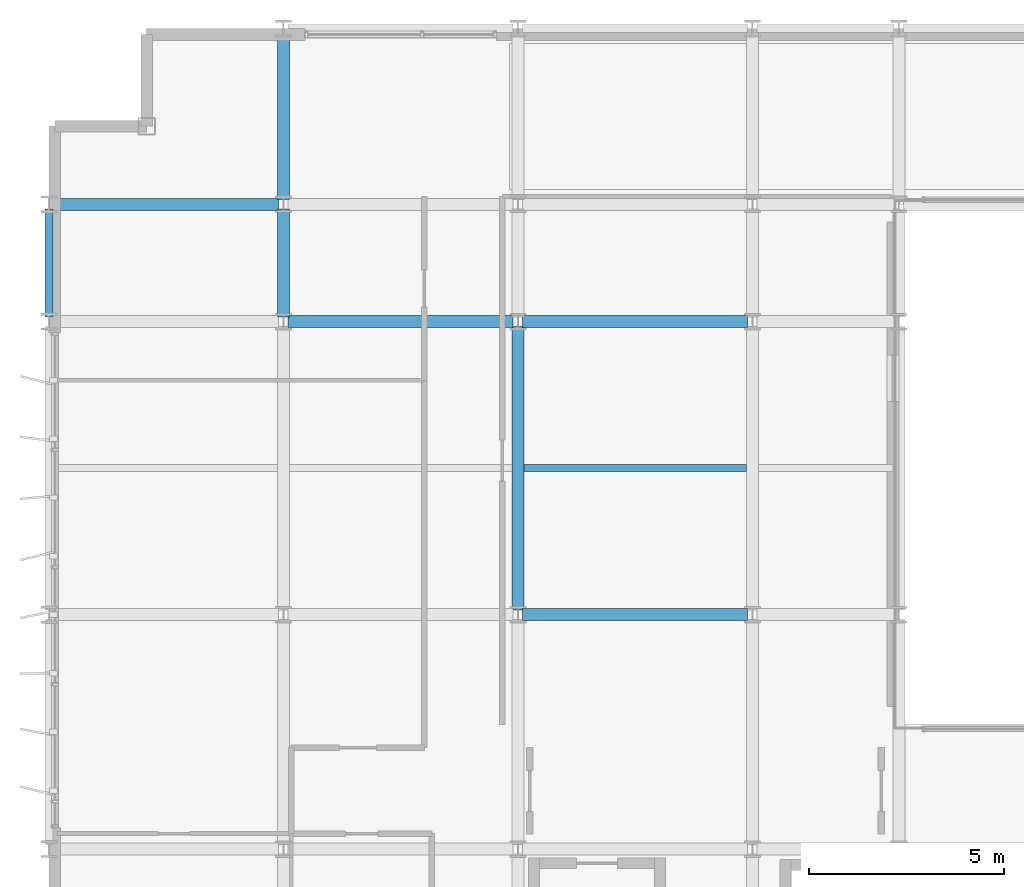
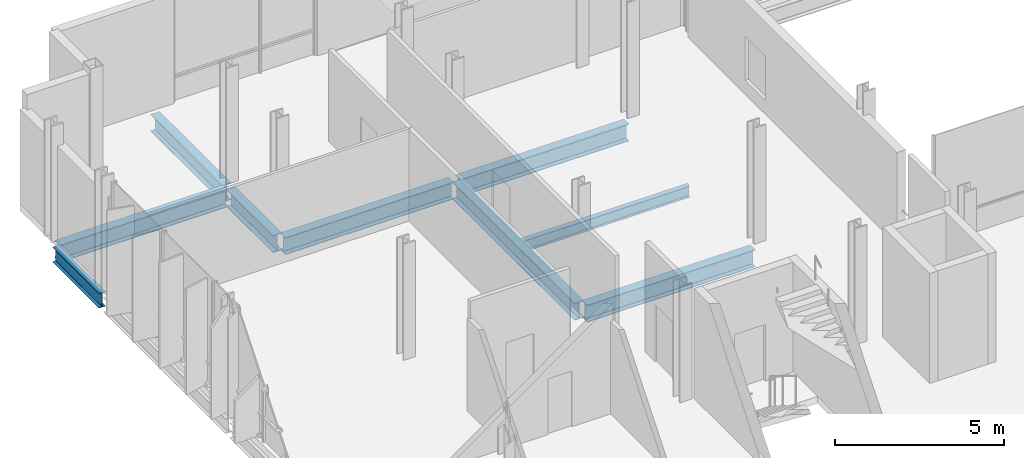
# One storey, part 6 of 32: 9 beams.
"""IFC4 building model written with IfcOpenShell, lengths in metres."""

from ifc_helpers import new_model, si_unit, direction, frame, origin, origin_2d, place, context, subcontext, project, spatial, i_section, extrude, material, material_profile, profile_set, type_object, element, save


model = new_model("IFC4")

# Units and contexts
model_context = context("Model", 3, precision=1e-05, world=origin(), true_north=direction((0.0, 1.0)))
body_context = subcontext(model_context, "Body", "Model", "MODEL_VIEW")
ifc_project = project(units=[si_unit("LENGTHUNIT", "METRE"), si_unit("AREAUNIT", "SQUARE_METRE"), si_unit("VOLUMEUNIT", "CUBIC_METRE"), si_unit("PLANEANGLEUNIT", "RADIAN"), si_unit("MASSUNIT", "GRAM", prefix="KILO")], contexts=[model_context])

# Site, building, storey
site_placement = place(None, origin())
site = spatial("IfcSite", under=ifc_project, at=site_placement, CompositionType="ELEMENT")
building_placement = place(site_placement, origin())
building = spatial("IfcBuilding", under=site, at=building_placement, Name="Brevholm Reach", CompositionType="ELEMENT")
storey_placement = place(building_placement, frame((0.0, 0.0, 134.5)))
storey = spatial("IfcBuildingStorey", under=building, at=storey_placement, Name="L40", CompositionType="ELEMENT", Elevation=134.5)

# Beams
ifc_material_1 = material(Name="Structural Steel S355J2", Category="steel")
ifc_material_profile_1 = material_profile(ifc_material_1, i_section(OverallWidth=0.177978515625, OverallDepth=0.406494140625, WebThickness=0.0078125, FlangeThickness=0.0126953125, FilletRadius=0.01025390625, at=origin_2d()), Name="UKB 406x178x60")
ifc_profile_set_1 = profile_set([ifc_material_profile_1], Name="Structural Steel S355J2")
beam_type_1 = type_object("IfcBeamType", Name="BM-B406", PredefinedType="BEAM", material=ifc_profile_set_1)
beam_1_placement = place(storey_placement, frame((12.153564453125, 19.75, -0.453125), z_axis=(1.0, 0.0, 0.0), x_axis=(0.0, 1.0, 0.0)))
element("IfcBeam", 1, at=beam_1_placement, inside=storey, type_object=beam_type_1, Name="L40 Composite Secondary Floor Beam", PredefinedType="BEAM", context=body_context, shape_type="SweptSolid", body=[
    extrude(i_section(OverallWidth=0.177978515625, OverallDepth=0.406494140625, WebThickness=0.0078125, FlangeThickness=0.0126953125, FilletRadius=0.01025390625, at=origin_2d()), origin(), (0.0, 0.0, 1.0), 5.69287109375),
])
ifc_material_2 = material(Name="Structural Steel S355J2", Category="steel")
ifc_material_profile_2 = material_profile(ifc_material_2, i_section(OverallWidth=0.210693359375, OverallDepth=0.53955078125, WebThickness=0.01171875, FlangeThickness=0.018798828125, FilletRadius=0.0126953125, at=origin_2d()), Name="UKB 533x210x109")
ifc_profile_set_2 = profile_set([ifc_material_profile_2], Name="Structural Steel S355J2")
beam_type_2 = type_object("IfcBeamType", Name="BM-SP539", PredefinedType="SPANDREL", material=ifc_profile_set_2)
beam_2_placement = place(storey_placement, frame((0.0, 23.6201171875, -0.519775390625), z_axis=(0.0, 1.0, 0.0), x_axis=(-1.0, 0.0, 0.0)))
element("IfcBeam", 2, at=beam_2_placement, inside=storey, type_object=beam_type_2, Name="L40 SP-01B Framing Beam", PredefinedType="SPANDREL", context=body_context, shape_type="SweptSolid", body=[
    extrude(i_section(OverallWidth=0.210693359375, OverallDepth=0.53955078125, WebThickness=0.01171875, FlangeThickness=0.018798828125, FilletRadius=0.0126953125, at=origin_2d()), origin(), (0.0, 0.0, 1.0), 2.759765625),
])
ifc_material_3 = material(Name="Structural Steel S355J2", Category="steel")
ifc_material_profile_3 = material_profile(ifc_material_3, i_section(OverallWidth=0.30712890625, OverallDepth=0.6201171875, WebThickness=0.01416015625, FlangeThickness=0.023681640625, FilletRadius=0.0166015625, at=origin_2d()), Name="UKB 610x305x179")
ifc_profile_set_3 = profile_set([ifc_material_profile_3], Name="Structural Steel S355J2")
beam_type_3 = type_object("IfcBeamType", Name="BM-UKB610H", PredefinedType="USERDEFINED", material=ifc_profile_set_3)
for number, where, z_axis, x_axis, name in (
    (3, (12.1201171875, 16.0, -0.56005859375), (1.0, 0.0, 0.0), (0.0, 1.0, 0.0), "L40 G-06 Framing Beam"),
    (4, (6.1201171875, 23.5, -0.56005859375), (1.0, 0.0, 0.0), (0.0, 1.0, 0.0), "L40 G-06 Framing Beam"),
    (5, (12.1201171875, 23.5, -0.56005859375), (1.0, 0.0, 0.0), (0.0, 1.0, 0.0), "L40 G-06 Framing Beam"),
    (6, (0.1201171875, 26.5, -0.56005859375), (1.0, 0.0, 0.0), (0.0, 1.0, 0.0), "L40 G-06 Framing Beam"),
):
    element("IfcBeam", number, at=place(storey_placement, frame(where, z_axis=z_axis, x_axis=x_axis)), inside=storey, type_object=beam_type_3, Name=name, ObjectType="GIRDER", PredefinedType="USERDEFINED", context=body_context, shape_type="SweptSolid", body=[
        extrude(i_section(OverallWidth=0.30712890625, OverallDepth=0.6201171875, WebThickness=0.01416015625, FlangeThickness=0.023681640625, FilletRadius=0.0166015625, at=origin_2d()), origin(), (0.0, 0.0, 1.0), 5.759765625),
    ])
beam_3_placement = place(storey_placement, frame((6.0, 23.6201171875, -0.56005859375), z_axis=(0.0, 1.0, 0.0), x_axis=(-1.0, 0.0, 0.0)))
element("IfcBeam", 7, at=beam_3_placement, inside=storey, type_object=beam_type_3, Name="L40 G-06 Framing Beam", ObjectType="GIRDER", PredefinedType="USERDEFINED", context=body_context, shape_type="SweptSolid", body=[
    extrude(i_section(OverallWidth=0.30712890625, OverallDepth=0.6201171875, WebThickness=0.01416015625, FlangeThickness=0.023681640625, FilletRadius=0.0166015625, at=origin_2d()), origin(), (0.0, 0.0, 1.0), 2.759765625),
])
beam_4_placement = place(storey_placement, frame((6.0, 26.6201171875, -0.56005859375), z_axis=(0.0, 1.0, 0.0), x_axis=(-1.0, 0.0, 0.0)))
element("IfcBeam", 8, at=beam_4_placement, inside=storey, type_object=beam_type_3, Name="L40 G-06 Framing Beam", ObjectType="GIRDER", PredefinedType="USERDEFINED", context=body_context, shape_type="SweptSolid", body=[
    extrude(i_section(OverallWidth=0.30712890625, OverallDepth=0.6201171875, WebThickness=0.01416015625, FlangeThickness=0.023681640625, FilletRadius=0.0166015625, at=origin_2d()), origin(), (0.0, 0.0, 1.0), 4.259765625),
])
beam_5_placement = place(storey_placement, frame((12.0, 16.1201171875, -0.56005859375), z_axis=(0.0, 1.0, 0.0), x_axis=(-1.0, 0.0, 0.0)))
element("IfcBeam", 9, at=beam_5_placement, inside=storey, type_object=beam_type_3, Name="L40 G-06 Framing Beam", ObjectType="GIRDER", PredefinedType="USERDEFINED", context=body_context, shape_type="SweptSolid", body=[
    extrude(i_section(OverallWidth=0.30712890625, OverallDepth=0.6201171875, WebThickness=0.01416015625, FlangeThickness=0.023681640625, FilletRadius=0.0166015625, at=origin_2d()), origin(), (0.0, 0.0, 1.0), 7.259765625),
])

save(model, "model.ifc")
